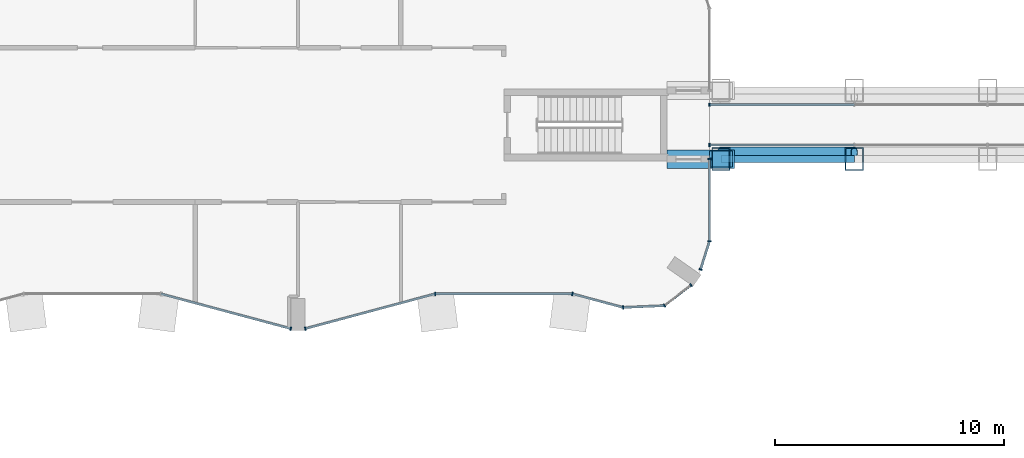
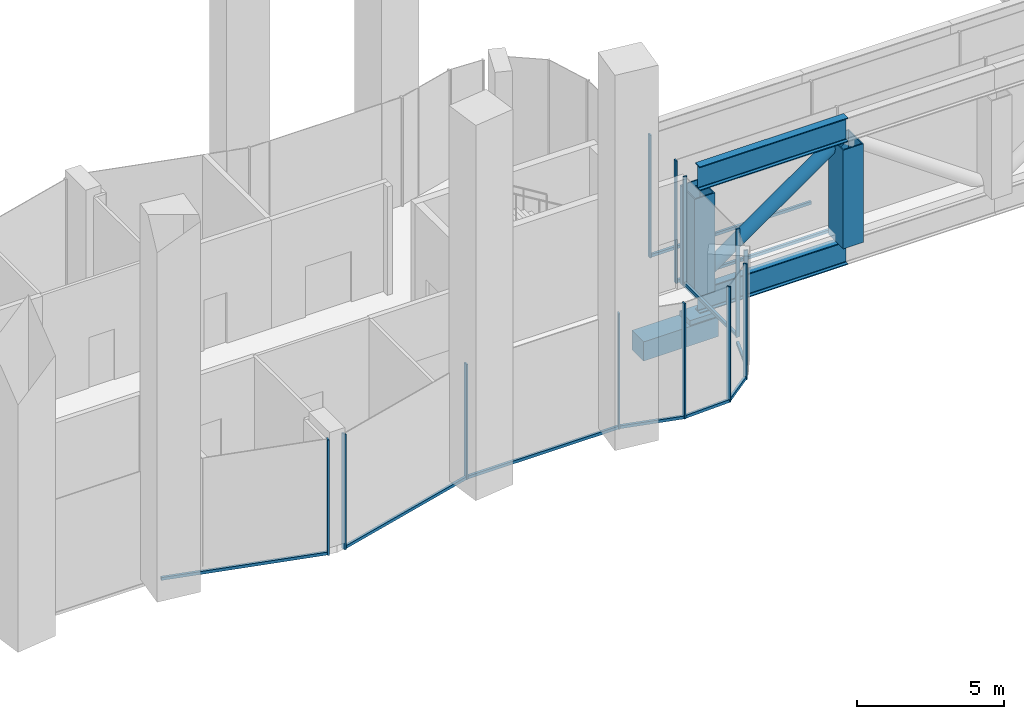
# One storey, part 5 of 23: 28 members, 1 beam, 10 elements without a shape of their own.
"""IFC4 building model written with IfcOpenShell, lengths in metres."""

from ifc_helpers import new_model, si_unit, direction, frame, origin, origin_2d, place, context, subcontext, project, spatial, rectangle, hollow_rectangle, hollow_circle, i_section, extrude, material, layer, layer_set, material_profile, profile_set, type_object, element, aggregate, save


model = new_model("IFC4")

# Units and contexts
model_context = context("Model", 3, precision=1e-05, world=origin(), true_north=direction((0.0, 1.0)))
body_context = subcontext(model_context, "Body", "Model", "MODEL_VIEW")
ifc_project = project(units=[si_unit("LENGTHUNIT", "METRE"), si_unit("AREAUNIT", "SQUARE_METRE"), si_unit("VOLUMEUNIT", "CUBIC_METRE"), si_unit("PLANEANGLEUNIT", "RADIAN"), si_unit("MASSUNIT", "GRAM", prefix="KILO")], contexts=[model_context])

# Site, building, storey
site_placement = place(None, origin())
site = spatial("IfcSite", under=ifc_project, at=site_placement, CompositionType="ELEMENT")
building_placement = place(site_placement, origin())
building = spatial("IfcBuilding", under=site, at=building_placement, Name="Plateau Cross Towers", CompositionType="ELEMENT")
storey_placement = place(building_placement, frame((0.0, 0.0, 123.800048828125)))
storey = spatial("IfcBuildingStorey", under=building, at=storey_placement, Name="L32", CompositionType="ELEMENT", Elevation=123.800048828125)

# Beam
ifc_material_1 = material(Name="Concrete C60/75", Category="concrete")
ifc_material_profile_1 = material_profile(ifc_material_1, rectangle(XDim=0.800048828125, YDim=0.800048828125, at=origin_2d()), Name="RC 800x800")
ifc_profile_set_1 = profile_set([ifc_material_profile_1], Name="Concrete C60/75")
beam_type = type_object("IfcBeamType", Name="Bridge corbel RC 800x800", PredefinedType="BEAM", material=ifc_profile_set_1)
beam_placement = place(storey_placement, frame((52.14990234375, 7.5, -1.900146484375), z_axis=(1.0, 0.0, 0.0), x_axis=(0.0, 1.0, 0.0)))
element("IfcBeam", 1, at=beam_placement, inside=storey, type_object=beam_type, Name="BR-S-CORBEL1", PredefinedType="BEAM", context=body_context, shape_type="SweptSolid", body=[
    extrude(rectangle(XDim=0.800048828125, YDim=0.800048828125, at=origin_2d()), origin(), (0.0, 0.0, 1.0), 2.9501953125),
])

# Curtain wall, member
ifc_material_2 = material(Name="Dark low-iron glass", Category="glass")
ifc_layer_1 = layer(ifc_material_2, 0.239990234375)
ifc_layer_set_1 = layer_set([ifc_layer_1], Name="Dark low-iron glass")
curtain_wall_type_1 = type_object("IfcCurtainWallType", Name="Curtain wall flush unitised CW-B", PredefinedType="NOTDEFINED", material=ifc_layer_set_1)
curtain_wall_1_placement = place(storey_placement, origin())
curtain_wall_1 = element("IfcCurtainWall", 2, at=curtain_wall_1_placement, inside=storey, type_object=curtain_wall_type_1, Name="ENV/A/L32/A502_10", PredefinedType="NOTDEFINED")
ifc_material_3 = material(Name="Black anodised aluminium", Category="aluminium")
ifc_material_profile_2 = material_profile(ifc_material_3, rectangle(XDim=0.06005859375, YDim=0.139892578125, at=origin_2d()), Name="MULLION 60x140")
ifc_profile_set_2 = profile_set([ifc_material_profile_2], Name="Black anodised aluminium")
member_type_1 = type_object("IfcMemberType", Name="Mullion 60x140 flush unitised", PredefinedType="MULLION", material=ifc_profile_set_2)
member_1_placement = place(storey_placement, frame((50.223876953125, 1.01123046875, -0.300048828125), z_axis=(0.0, 0.0, 1.0), x_axis=(0.999043701491, 0.043722791671, 0.0)))
member_1 = element("IfcMember", 3, at=member_1_placement, type_object=member_type_1, Name="CW-B mullion 1", PredefinedType="MULLION", context=body_context, shape_type="SweptSolid", body=[
    extrude(rectangle(XDim=0.06005859375, YDim=0.139892578125, at=origin_2d()), origin(), (0.0, 0.0, 1.0), 4.800048828125),
])

# Curtain wall, members
curtain_wall_2_placement = place(storey_placement, origin())
curtain_wall_2 = element("IfcCurtainWall", 4, at=curtain_wall_2_placement, inside=storey, type_object=curtain_wall_type_1, Name="ENV/A/L32/A520_11", PredefinedType="NOTDEFINED")
member_2_placement = place(storey_placement, frame((52.0263671875, 1.090087890625, -0.300048828125), z_axis=(0.0, 0.0, 1.0), x_axis=(0.793315514529, 0.608810721331, 0.0)))
member_2 = element("IfcMember", 5, at=member_2_placement, type_object=member_type_1, Name="CW-B mullion 1", PredefinedType="MULLION", context=body_context, shape_type="SweptSolid", body=[
    extrude(rectangle(XDim=0.06005859375, YDim=0.139892578125, at=origin_2d()), origin(), (0.0, 0.0, 1.0), 4.800048828125),
])
member_3_placement = place(storey_placement, frame((53.193603515625, 1.986083984375, -0.300048828125), z_axis=(0.0, 0.0, 1.0), x_axis=(0.793315514529, 0.608810721331, 0.0)))
member_3 = element("IfcMember", 6, at=member_3_placement, type_object=member_type_1, Name="CW-B mullion 2", PredefinedType="MULLION", context=body_context, shape_type="SweptSolid", body=[
    extrude(rectangle(XDim=0.06005859375, YDim=0.139892578125, at=origin_2d()), origin(), (0.0, 0.0, 1.0), 4.800048828125),
])

# Curtain wall, member
curtain_wall_3_placement = place(storey_placement, origin())
curtain_wall_3 = element("IfcCurtainWall", 7, at=curtain_wall_3_placement, inside=storey, type_object=curtain_wall_type_1, Name="ENV/A/L32/A536_27", PredefinedType="NOTDEFINED")
member_4_placement = place(storey_placement, frame((53.611083984375, 2.67529296875, -0.300048828125), z_axis=(0.0, 0.0, 1.0), x_axis=(0.300686174994, 0.95372313811, 0.0)))
member_4 = element("IfcMember", 8, at=member_4_placement, type_object=member_type_1, Name="CW-B mullion 1", PredefinedType="MULLION", context=body_context, shape_type="SweptSolid", body=[
    extrude(rectangle(XDim=0.06005859375, YDim=0.139892578125, at=origin_2d()), origin(), (0.0, 0.0, 1.0), 4.800048828125),
])

# Curtain wall, members
curtain_wall_4_placement = place(storey_placement, origin())
curtain_wall_4 = element("IfcCurtainWall", 9, at=curtain_wall_4_placement, inside=storey, type_object=curtain_wall_type_1, Name="ENV/A/L32/A540_39", PredefinedType="NOTDEFINED")
member_5_placement = place(storey_placement, frame((54.0, 3.9091796875, 0.0), z_axis=(0.0, 0.0, 1.0), x_axis=(0.0, 1.0, 0.0)))
member_5 = element("IfcMember", 10, at=member_5_placement, type_object=member_type_1, Name="CW-B mullion 1", PredefinedType="MULLION", context=body_context, shape_type="SweptSolid", body=[
    extrude(rectangle(XDim=0.06005859375, YDim=0.139892578125, at=origin_2d()), origin(), (0.0, 0.0, 1.0), 4.5),
])
member_6_placement = place(storey_placement, frame((54.0, 7.5, 0.0), z_axis=(0.0, 0.0, 1.0), x_axis=(0.0, 1.0, 0.0)))
member_6 = element("IfcMember", 11, at=member_6_placement, type_object=member_type_1, Name="CW-B mullion 2", PredefinedType="MULLION", context=body_context, shape_type="SweptSolid", body=[
    extrude(rectangle(XDim=0.06005859375, YDim=0.139892578125, at=origin_2d()), origin(), (0.0, 0.0, 1.0), 4.5),
])

# Curtain wall, member
ifc_material_4 = material(Name="Dark low-iron laminated glass", Category="glass")
ifc_layer_2 = layer(ifc_material_4, 0.25)
ifc_layer_set_2 = layer_set([ifc_layer_2], Name="Dark low-iron laminated glass")
curtain_wall_type_2 = type_object("IfcCurtainWallType", Name="Curtain wall bridge CW-E", PredefinedType="NOTDEFINED", material=ifc_layer_set_2)
curtain_wall_5_placement = place(storey_placement, origin())
curtain_wall_5 = element("IfcCurtainWall", 12, at=curtain_wall_5_placement, inside=storey, type_object=curtain_wall_type_2, Name="ENV/BR/L32/BR-S-south-1", PredefinedType="NOTDEFINED")
ifc_material_profile_3 = material_profile(ifc_material_3, rectangle(XDim=0.06005859375, YDim=0.14990234375, at=origin_2d()), Name="MULLION 60x150")
ifc_profile_set_3 = profile_set([ifc_material_profile_3], Name="Black anodised aluminium")
member_type_2 = type_object("IfcMemberType", Name="Mullion 60x150 bridge", PredefinedType="MULLION", material=ifc_profile_set_3)
member_7_placement = place(storey_placement, frame((54.0, 8.1201171875, -0.300048828125), z_axis=(0.0, 0.0, 1.0), x_axis=(1.0, 0.0, 0.0)))
member_7 = element("IfcMember", 13, at=member_7_placement, type_object=member_type_2, Name="CW-E mullion 1", PredefinedType="MULLION", context=body_context, shape_type="SweptSolid", body=[
    extrude(rectangle(XDim=0.06005859375, YDim=0.14990234375, at=origin_2d()), origin(), (0.0, 0.0, 1.0), 5.10009765625),
])

curtain_wall_6_placement = place(storey_placement, origin())
curtain_wall_6 = element("IfcCurtainWall", 14, at=curtain_wall_6_placement, inside=storey, type_object=curtain_wall_type_2, Name="ENV/BR/L32/BR-S-north-1", PredefinedType="NOTDEFINED")
member_8_placement = place(storey_placement, frame((54.0, 9.8798828125, -0.300048828125), z_axis=(0.0, 0.0, 1.0), x_axis=(1.0, 0.0, 0.0)))
member_8 = element("IfcMember", 15, at=member_8_placement, type_object=member_type_2, Name="CW-E mullion 1", PredefinedType="MULLION", context=body_context, shape_type="SweptSolid", body=[
    extrude(rectangle(XDim=0.06005859375, YDim=0.14990234375, at=origin_2d()), origin(), (0.0, 0.0, 1.0), 5.10009765625),
])

ifc_layer_3 = layer(ifc_material_2, 0.260009765625)
ifc_layer_set_3 = layer_set([ifc_layer_3], Name="Dark low-iron glass")
curtain_wall_type_3 = type_object("IfcCurtainWallType", Name="Curtain wall fluted unitised CW-A", PredefinedType="NOTDEFINED", material=ifc_layer_set_3)
curtain_wall_7_placement = place(storey_placement, origin())
curtain_wall_7 = element("IfcCurtainWall", 16, at=curtain_wall_7_placement, inside=storey, type_object=curtain_wall_type_3, Name="ENV/A/L32/A300_16", PredefinedType="NOTDEFINED")
ifc_material_profile_4 = material_profile(ifc_material_3, rectangle(XDim=0.06005859375, YDim=0.159912109375, at=origin_2d()), Name="MULLION 60x160")
ifc_profile_set_4 = profile_set([ifc_material_profile_4], Name="Black anodised aluminium")
member_type_3 = type_object("IfcMemberType", Name="Mullion 60x160 fluted unitised", PredefinedType="MULLION", material=ifc_profile_set_4)
member_9_placement = place(storey_placement, frame((35.68212890625, 0.085205078125, -0.300048828125), z_axis=(0.0, 0.0, 1.0), x_axis=(0.965957983404, -0.258699003279, 0.0)))
member_9 = element("IfcMember", 17, at=member_9_placement, type_object=member_type_3, Name="CW-A mullion 2", PredefinedType="MULLION", context=body_context, shape_type="SweptSolid", body=[
    extrude(rectangle(XDim=0.06005859375, YDim=0.159912109375, at=origin_2d()), origin(), (0.0, 0.0, 1.0), 4.800048828125),
])

curtain_wall_8_placement = place(storey_placement, origin())
curtain_wall_8 = element("IfcCurtainWall", 18, at=curtain_wall_8_placement, inside=storey, type_object=curtain_wall_type_3, Name="ENV/A/L32/A363_1", PredefinedType="NOTDEFINED")
member_10_placement = place(storey_placement, frame((36.31787109375, 0.085205078125, -0.300048828125), z_axis=(0.0, 0.0, 1.0), x_axis=(0.965957983404, 0.258699003279, 0.0)))
member_10 = element("IfcMember", 19, at=member_10_placement, type_object=member_type_3, Name="CW-A mullion 1", PredefinedType="MULLION", context=body_context, shape_type="SweptSolid", body=[
    extrude(rectangle(XDim=0.06005859375, YDim=0.159912109375, at=origin_2d()), origin(), (0.0, 0.0, 1.0), 4.800048828125),
])

curtain_wall_9_placement = place(storey_placement, origin())
curtain_wall_9 = element("IfcCurtainWall", 20, at=curtain_wall_9_placement, inside=storey, type_object=curtain_wall_type_3, Name="ENV/A/L32/A420_16", PredefinedType="NOTDEFINED")
member_11_placement = place(storey_placement, frame((42.0, 1.60693359375, -0.300048828125), z_axis=(0.0, 0.0, 1.0), x_axis=(1.0, 0.0, 0.0)))
member_11 = element("IfcMember", 21, at=member_11_placement, type_object=member_type_3, Name="CW-A mullion 1", PredefinedType="MULLION", context=body_context, shape_type="SweptSolid", body=[
    extrude(rectangle(XDim=0.06005859375, YDim=0.159912109375, at=origin_2d()), origin(), (0.0, 0.0, 1.0), 4.800048828125),
])

curtain_wall_10_placement = place(storey_placement, origin())
curtain_wall_10 = element("IfcCurtainWall", 22, at=curtain_wall_10_placement, inside=storey, type_object=curtain_wall_type_3, Name="ENV/A/L32/A480_16", PredefinedType="NOTDEFINED")
member_12_placement = place(storey_placement, frame((48.0, 1.60693359375, -0.300048828125), z_axis=(0.0, 0.0, 1.0), x_axis=(0.965957962328, -0.258699081978, 0.0)))
member_12 = element("IfcMember", 23, at=member_12_placement, type_object=member_type_3, Name="CW-A mullion 1", PredefinedType="MULLION", context=body_context, shape_type="SweptSolid", body=[
    extrude(rectangle(XDim=0.06005859375, YDim=0.159912109375, at=origin_2d()), origin(), (0.0, 0.0, 1.0), 4.800048828125),
])

# Members
ifc_material_5 = material(Name="Steel S355", Category="steel")
ifc_layer_4 = layer(ifc_material_5, 0.199951171875)
ifc_layer_set_4 = layer_set([ifc_layer_4], Name="Steel S355")
member_type_4 = type_object("IfcMemberType", Name="Pinned bridge bearing BRG 1000x700", PredefinedType="USERDEFINED", material=ifc_layer_set_4)
member_13_placement = place(storey_placement, frame((54.5, 7.5, -1.5), z_axis=(0.0, 0.0, 1.0), x_axis=(1.0, 0.0, 0.0)))
element("IfcMember", 24, at=member_13_placement, inside=storey, type_object=member_type_4, Name="Sky garden bridge pinned bearing 1", ObjectType="BEARING", PredefinedType="USERDEFINED", context=body_context, shape_type="SweptSolid", body=[
    extrude(rectangle(XDim=1.0, YDim=0.699951171875, at=origin_2d()), origin(), (0.0, 0.0, 1.0), 0.199951171875),
])
ifc_material_profile_5 = material_profile(ifc_material_5, i_section(OverallWidth=0.300048828125, OverallDepth=1.0, WebThickness=0.01904296875, FlangeThickness=0.035888671875, FilletRadius=0.030029296875, at=origin_2d()), Name="HE 1000 B")
ifc_profile_set_5 = profile_set([ifc_material_profile_5], Name="Steel S355")
member_type_5 = type_object("IfcMemberType", Name="Sky garden bridge truss chord HE 1000 B", PredefinedType="CHORD", material=ifc_profile_set_5)
for number, where, z_axis, x_axis, name in (
    (25, (54.5, 7.5, -0.800048828125), (1.0, 0.0, 0.0), (0.0, 1.0, 0.0), "BR-S-T1-B1"),
    (26, (54.5, 7.5, 4.300048828125), (1.0, 0.0, 0.0), (0.0, 1.0, 0.0), "BR-S-T1-T1"),
):
    element("IfcMember", number, at=place(storey_placement, frame(where, z_axis=z_axis, x_axis=x_axis)), inside=storey, type_object=member_type_5, Name=name, PredefinedType="CHORD", context=body_context, shape_type="SweptSolid", body=[
        extrude(i_section(OverallWidth=0.300048828125, OverallDepth=1.0, WebThickness=0.01904296875, FlangeThickness=0.035888671875, FilletRadius=0.030029296875, at=origin_2d()), origin(), (0.0, 0.0, 1.0), 5.833251953125),
    ])
ifc_material_profile_6 = material_profile(ifc_material_5, hollow_circle(Radius=0.25390625, WallThickness=0.02490234375, at=origin_2d()), Name="CHS 508x25")
ifc_profile_set_6 = profile_set([ifc_material_profile_6], Name="Steel S355")
member_type_6 = type_object("IfcMemberType", Name="Sky garden bridge truss diagonal CHS 508x25", PredefinedType="BRACE", material=ifc_profile_set_6)
member_14_placement = place(storey_placement, frame((54.5, 7.785888671875, -0.300048828125), z_axis=(0.818122036637, 0.0, 0.575044635805), x_axis=(0.0, 1.0, 0.0)))
element("IfcMember", 27, at=member_14_placement, inside=storey, type_object=member_type_6, Name="BR-S-T1-D1", PredefinedType="BRACE", context=body_context, shape_type="SweptSolid", body=[
    extrude(hollow_circle(Radius=0.25390625, WallThickness=0.02490234375, at=origin_2d()), origin(), (0.0, 0.0, 1.0), 7.130126953125),
])
ifc_material_profile_7 = material_profile(ifc_material_5, hollow_rectangle(XDim=0.800048828125, YDim=1.0, WallThickness=0.0400390625, at=origin_2d()), Name="BOX 1000x800x40")
ifc_profile_set_7 = profile_set([ifc_material_profile_7], Name="Steel S355")
member_type_7 = type_object("IfcMemberType", Name="Sky garden bridge truss post BOX 1000x800x40", PredefinedType="POST", material=ifc_profile_set_7)
for number, where, z_axis, x_axis, name in (
    (28, (54.5, 7.5, -0.300048828125), (0.0, 0.0, 1.0), (1.0, 0.0, 0.0), "BR-S-T1-V1"),
    (29, (60.333251953125, 7.5, -0.300048828125), (0.0, 0.0, 1.0), (1.0, 0.0, 0.0), "BR-S-T1-V2"),
):
    element("IfcMember", number, at=place(storey_placement, frame(where, z_axis=z_axis, x_axis=x_axis)), inside=storey, type_object=member_type_7, Name=name, PredefinedType="POST", context=body_context, shape_type="SweptSolid", body=[
        extrude(hollow_rectangle(XDim=0.800048828125, YDim=1.0, WallThickness=0.0400390625, at=origin_2d()), origin(), (0.0, 0.0, 1.0), 4.10009765625),
    ])

# Member
ifc_material_profile_8 = material_profile(ifc_material_3, rectangle(XDim=0.10009765625, YDim=0.1201171875, at=origin_2d()), Name="TRANSOM 100x120")
ifc_profile_set_8 = profile_set([ifc_material_profile_8], Name="Black anodised aluminium")
member_type_8 = type_object("IfcMemberType", Name="Transom 100x120 bridge", PredefinedType="USERDEFINED", material=ifc_profile_set_8)
member_15_placement = place(storey_placement, frame((54.0, 8.1201171875, -0.239990234375), z_axis=(1.0, 0.0, 0.0), x_axis=(0.0, 1.0, 0.0)))
member_15 = element("IfcMember", 30, at=member_15_placement, type_object=member_type_8, Name="CW-E transom", ObjectType="TRANSOM", PredefinedType="USERDEFINED", context=body_context, shape_type="SweptSolid", body=[
    extrude(rectangle(XDim=0.10009765625, YDim=0.1201171875, at=origin_2d()), origin(), (0.0, 0.0, 1.0), 6.333251953125),
])

aggregate(curtain_wall_5, [member_7, member_15])

member_16_placement = place(storey_placement, frame((54.0, 9.8798828125, -0.239990234375), z_axis=(1.0, 0.0, 0.0), x_axis=(0.0, 1.0, 0.0)))
member_16 = element("IfcMember", 31, at=member_16_placement, type_object=member_type_8, Name="CW-E transom", ObjectType="TRANSOM", PredefinedType="USERDEFINED", context=body_context, shape_type="SweptSolid", body=[
    extrude(rectangle(XDim=0.10009765625, YDim=0.1201171875, at=origin_2d()), origin(), (0.0, 0.0, 1.0), 6.333251953125),
])

aggregate(curtain_wall_6, [member_8, member_16])

ifc_material_profile_9 = material_profile(ifc_material_3, rectangle(XDim=0.10009765625, YDim=0.1201171875, at=origin_2d()), Name="TRANSOM 100x120")
ifc_profile_set_9 = profile_set([ifc_material_profile_9], Name="Black anodised aluminium")
member_type_9 = type_object("IfcMemberType", Name="Transom 100x120 flush unitised", PredefinedType="USERDEFINED", material=ifc_profile_set_9)
member_17_placement = place(storey_placement, frame((50.223876953125, 1.01123046875, -0.239990234375), z_axis=(0.999044377355, 0.043707345779, 0.0), x_axis=(-0.043707345779, 0.999044377355, 0.0)))
member_17 = element("IfcMember", 32, at=member_17_placement, type_object=member_type_9, Name="CW-B transom", ObjectType="TRANSOM", PredefinedType="USERDEFINED", context=body_context, shape_type="SweptSolid", body=[
    extrude(rectangle(XDim=0.10009765625, YDim=0.1201171875, at=origin_2d()), origin(), (0.0, 0.0, 1.0), 1.80419921875),
])

aggregate(curtain_wall_1, [member_1, member_17])

member_18_placement = place(storey_placement, frame((52.0263671875, 1.090087890625, -0.239990234375), z_axis=(0.793240368515, 0.608908628415, 0.0), x_axis=(-0.608908628415, 0.793240368515, 0.0)))
member_18 = element("IfcMember", 33, at=member_18_placement, type_object=member_type_9, Name="CW-B transom", ObjectType="TRANSOM", PredefinedType="USERDEFINED", context=body_context, shape_type="SweptSolid", body=[
    extrude(rectangle(XDim=0.10009765625, YDim=0.1201171875, at=origin_2d()), origin(), (0.0, 0.0, 1.0), 1.471435546875),
])

aggregate(curtain_wall_2, [member_2, member_3, member_18])

member_19_placement = place(storey_placement, frame((53.611083984375, 2.67529296875, -0.239990234375), z_axis=(0.300616528216, 0.953745093284, 0.0), x_axis=(-0.953745093284, 0.300616528216, 0.0)))
member_19 = element("IfcMember", 34, at=member_19_placement, type_object=member_type_9, Name="CW-B transom", ObjectType="TRANSOM", PredefinedType="USERDEFINED", context=body_context, shape_type="SweptSolid", body=[
    extrude(rectangle(XDim=0.10009765625, YDim=0.1201171875, at=origin_2d()), origin(), (0.0, 0.0, 1.0), 1.293701171875),
])

aggregate(curtain_wall_3, [member_4, member_19])

member_20_placement = place(storey_placement, frame((54.0, 3.9091796875, 0.06005859375), z_axis=(0.0, 1.0, 0.0), x_axis=(-1.0, 0.0, 0.0)))
member_20 = element("IfcMember", 35, at=member_20_placement, type_object=member_type_9, Name="CW-B transom", ObjectType="TRANSOM", PredefinedType="USERDEFINED", context=body_context, shape_type="SweptSolid", body=[
    extrude(rectangle(XDim=0.10009765625, YDim=0.1201171875, at=origin_2d()), origin(), (0.0, 0.0, 1.0), 3.5908203125),
])

aggregate(curtain_wall_4, [member_5, member_6, member_20])

ifc_material_profile_10 = material_profile(ifc_material_3, rectangle(XDim=0.10009765625, YDim=0.1201171875, at=origin_2d()), Name="TRANSOM 100x120")
ifc_profile_set_10 = profile_set([ifc_material_profile_10], Name="Black anodised aluminium")
member_type_10 = type_object("IfcMemberType", Name="Transom 100x120 fluted unitised", PredefinedType="USERDEFINED", material=ifc_profile_set_10)
member_21_placement = place(storey_placement, frame((30.0, 1.60693359375, -0.239990234375), z_axis=(0.965959534794, -0.258693210465, 0.0), x_axis=(0.258693210465, 0.965959534794, 0.0)))
member_21 = element("IfcMember", 36, at=member_21_placement, type_object=member_type_10, Name="CW-A transom", ObjectType="TRANSOM", PredefinedType="USERDEFINED", context=body_context, shape_type="SweptSolid", body=[
    extrude(rectangle(XDim=0.10009765625, YDim=0.1201171875, at=origin_2d()), origin(), (0.0, 0.0, 1.0), 5.88232421875),
])

aggregate(curtain_wall_7, [member_9, member_21])

member_22_placement = place(storey_placement, frame((36.31787109375, 0.085205078125, -0.239990234375), z_axis=(0.965959534794, 0.258693210465, 0.0), x_axis=(-0.258693210465, 0.965959534794, 0.0)))
member_22 = element("IfcMember", 37, at=member_22_placement, type_object=member_type_10, Name="CW-A transom", ObjectType="TRANSOM", PredefinedType="USERDEFINED", context=body_context, shape_type="SweptSolid", body=[
    extrude(rectangle(XDim=0.10009765625, YDim=0.1201171875, at=origin_2d()), origin(), (0.0, 0.0, 1.0), 5.88232421875),
])

aggregate(curtain_wall_8, [member_10, member_22])

member_23_placement = place(storey_placement, frame((42.0, 1.60693359375, -0.239990234375), z_axis=(1.0, 0.0, 0.0), x_axis=(0.0, 1.0, 0.0)))
member_23 = element("IfcMember", 38, at=member_23_placement, type_object=member_type_10, Name="CW-A transom", ObjectType="TRANSOM", PredefinedType="USERDEFINED", context=body_context, shape_type="SweptSolid", body=[
    extrude(rectangle(XDim=0.10009765625, YDim=0.1201171875, at=origin_2d()), origin(), (0.0, 0.0, 1.0), 6.0),
])

aggregate(curtain_wall_9, [member_11, member_23])

member_24_placement = place(storey_placement, frame((48.0, 1.60693359375, -0.239990234375), z_axis=(0.965945685136, -0.258744919501, 0.0), x_axis=(0.258744919501, 0.965945685136, 0.0)))
member_24 = element("IfcMember", 39, at=member_24_placement, type_object=member_type_10, Name="CW-A transom", ObjectType="TRANSOM", PredefinedType="USERDEFINED", context=body_context, shape_type="SweptSolid", body=[
    extrude(rectangle(XDim=0.10009765625, YDim=0.1201171875, at=origin_2d()), origin(), (0.0, 0.0, 1.0), 2.30224609375),
])

aggregate(curtain_wall_10, [member_12, member_24])

save(model, "model.ifc")
